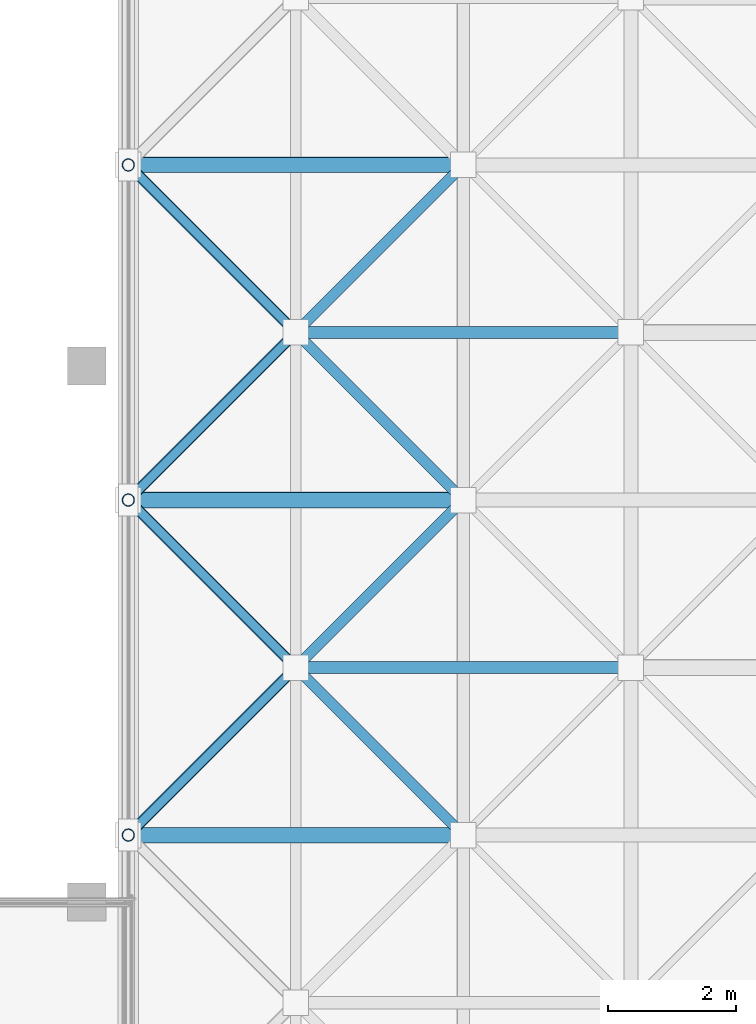
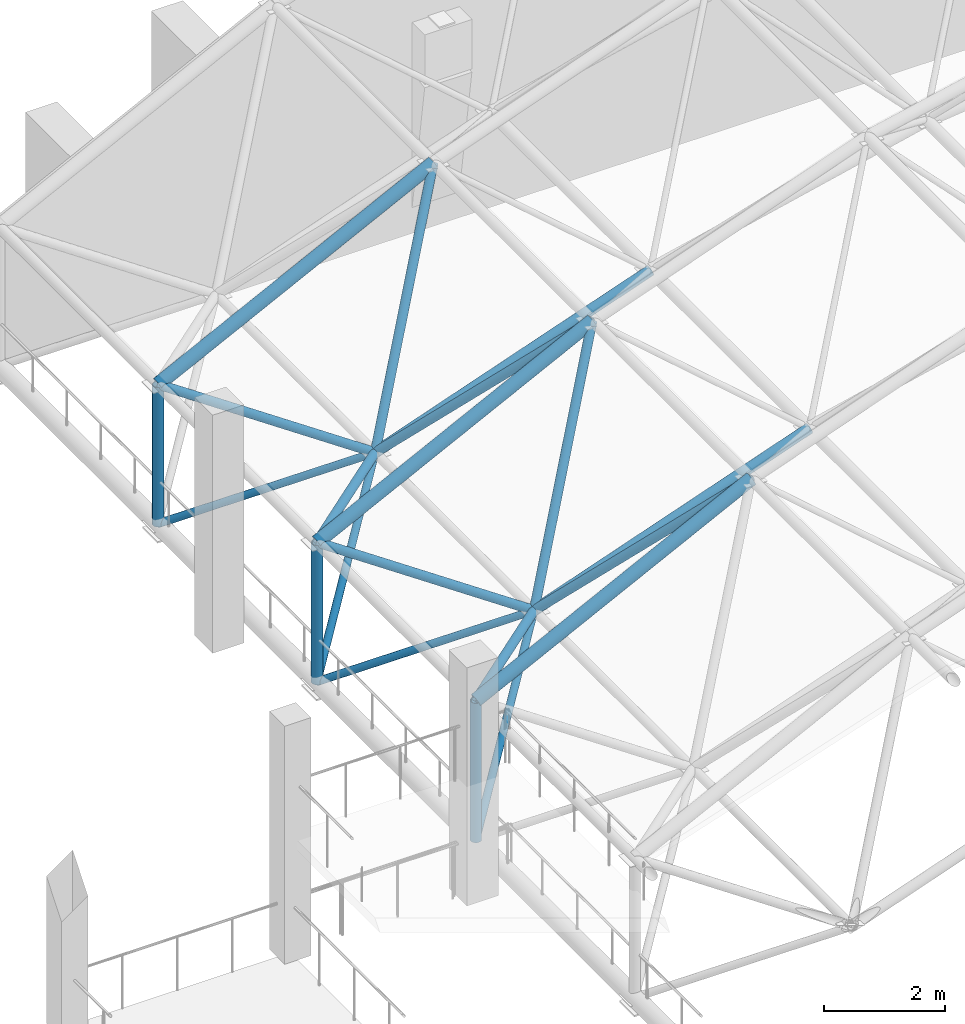
# One storey, part 14 of 100: 20 members.
"""IFC4 building model written with IfcOpenShell, lengths in metres."""

from ifc_helpers import new_model, si_unit, direction, frame, origin, origin_2d, place, context, subcontext, project, spatial, hollow_circle, extrude, material, material_profile, profile_set, type_object, element, save


model = new_model("IFC4")

# Units and contexts
model_context = context("Model", 3, precision=1e-05, world=origin(), true_north=direction((0.0, 1.0)))
body_context = subcontext(model_context, "Body", "Model", "MODEL_VIEW")
ifc_project = project(units=[si_unit("LENGTHUNIT", "METRE"), si_unit("AREAUNIT", "SQUARE_METRE"), si_unit("VOLUMEUNIT", "CUBIC_METRE"), si_unit("PLANEANGLEUNIT", "RADIAN"), si_unit("MASSUNIT", "GRAM", prefix="KILO")], contexts=[model_context])

# Site, building, storey
site_placement = place(None, origin())
site = spatial("IfcSite", under=ifc_project, at=site_placement, CompositionType="ELEMENT")
building_placement = place(site_placement, origin())
building = spatial("IfcBuilding", under=site, at=building_placement, Name="Kiln Court Media Centre", CompositionType="ELEMENT")
storey_placement = place(building_placement, frame((0.0, 0.0, 15.0)))
storey = spatial("IfcBuildingStorey", under=building, at=storey_placement, Name="L03", CompositionType="ELEMENT", Elevation=15.0)

# Members
ifc_material_1 = material(Name="Steel ASTM A500 Gr C", Category="steel")
ifc_material_profile_1 = material_profile(ifc_material_1, hollow_circle(Radius=0.06982421875, WallThickness=0.0048828125, at=origin_2d()), Name="CHS 139.7x5.0")
ifc_profile_set_1 = profile_set([ifc_material_profile_1], Name="Steel ASTM A500 Gr C")
member_type_1 = type_object("IfcMemberType", Name="Steel ASTM A500 Gr C CHS 139.7x5.0 space frame brace", PredefinedType="BRACE", material=ifc_profile_set_1)
for number, where, z_axis, x_axis, name in (
    (1, (58.800048828125, 51.449951171875, 0.18994140625), (0.614895163376, 0.614895163376, 0.493769051394), (-0.707106781187, 0.707106781187, 0.0), "V1 roof bearing tie first 6 space frame brace"),
    (2, (58.800048828125, 56.699951171875, 0.18994140625), (0.614895163376, -0.614895163376, 0.493769051394), (0.707106781187, 0.707106781187, 0.0), "V1 roof bearing tie first 7 space frame brace"),
    (3, (58.800048828125, 56.699951171875, 0.18994140625), (0.614895163376, 0.614895163376, 0.493769051394), (-0.707106781187, 0.707106781187, 0.0), "V1 roof bearing tie first 7 space frame brace"),
    (4, (58.800048828125, 61.949951171875, 0.18994140625), (0.614895163376, -0.614895163376, 0.493769051394), (0.707106781187, 0.707106781187, 0.0), "V1 roof bearing tie first 8 space frame brace"),
):
    element("IfcMember", number, at=place(storey_placement, frame(where, z_axis=z_axis, x_axis=x_axis)), inside=storey, type_object=member_type_1, Name=name, PredefinedType="BRACE", context=body_context, shape_type="SweptSolid", body=[
        extrude(hollow_circle(Radius=0.06982421875, WallThickness=0.0048828125, at=origin_2d()), origin(), (0.0, 0.0, 1.0), 4.26904296875),
    ])
ifc_material_2 = material(Name="Steel ASTM A500 Gr C", Category="steel")
ifc_material_profile_2 = material_profile(ifc_material_2, hollow_circle(Radius=0.084228515625, WallThickness=0.00634765625, at=origin_2d()), Name="CHS 168.3x6.3")
ifc_profile_set_2 = profile_set([ifc_material_profile_2], Name="Steel ASTM A500 Gr C")
member_type_2 = type_object("IfcMemberType", Name="Steel ASTM A500 Gr C CHS 168.3x6.3 space frame brace", PredefinedType="BRACE", material=ifc_profile_set_2)
member_1_placement = place(storey_placement, frame((61.425048828125, 54.074951171875, 2.2978515625), z_axis=(-0.694788256549, -0.694788256549, 0.185845519516), x_axis=(0.707106781187, -0.707106781187, 0.0)))
element("IfcMember", 5, at=member_1_placement, inside=storey, type_object=member_type_2, Name="V1 roof diagonal 1-6 space frame brace", PredefinedType="BRACE", context=body_context, shape_type="SweptSolid", body=[
    extrude(hollow_circle(Radius=0.084228515625, WallThickness=0.00634765625, at=origin_2d()), origin(), (0.0, 0.0, 1.0), 3.778076171875),
])
member_2_placement = place(storey_placement, frame((61.425048828125, 54.074951171875, 2.2978515625), z_axis=(0.526569761857, -0.526569761857, 0.667419337295), x_axis=(0.707106781187, 0.707106781187, 0.0)))
element("IfcMember", 6, at=member_2_placement, inside=storey, type_object=member_type_2, Name="V1 roof diagonal 1-6 space frame brace", PredefinedType="BRACE", context=body_context, shape_type="SweptSolid", body=[
    extrude(hollow_circle(Radius=0.084228515625, WallThickness=0.00634765625, at=origin_2d()), origin(), (0.0, 0.0, 1.0), 4.985107421875),
])
member_3_placement = place(storey_placement, frame((61.425048828125, 54.074951171875, 2.2978515625), z_axis=(-0.694788256549, 0.694788256549, 0.185845519516), x_axis=(-0.707106781187, -0.707106781187, 0.0)))
element("IfcMember", 7, at=member_3_placement, inside=storey, type_object=member_type_2, Name="V1 roof diagonal 1-6 space frame brace", PredefinedType="BRACE", context=body_context, shape_type="SweptSolid", body=[
    extrude(hollow_circle(Radius=0.084228515625, WallThickness=0.00634765625, at=origin_2d()), origin(), (0.0, 0.0, 1.0), 3.778076171875),
])
member_4_placement = place(storey_placement, frame((61.425048828125, 54.074951171875, 2.2978515625), z_axis=(0.526569761857, 0.526569761857, 0.667419337295), x_axis=(-0.707106781187, 0.707106781187, 0.0)))
element("IfcMember", 8, at=member_4_placement, inside=storey, type_object=member_type_2, Name="V1 roof diagonal 1-6 space frame brace", PredefinedType="BRACE", context=body_context, shape_type="SweptSolid", body=[
    extrude(hollow_circle(Radius=0.084228515625, WallThickness=0.00634765625, at=origin_2d()), origin(), (0.0, 0.0, 1.0), 4.985107421875),
])
member_5_placement = place(storey_placement, frame((61.425048828125, 59.324951171875, 2.2978515625), z_axis=(-0.694788256549, -0.694788256549, 0.185845519516), x_axis=(0.707106781187, -0.707106781187, 0.0)))
element("IfcMember", 9, at=member_5_placement, inside=storey, type_object=member_type_2, Name="V1 roof diagonal 1-7 space frame brace", PredefinedType="BRACE", context=body_context, shape_type="SweptSolid", body=[
    extrude(hollow_circle(Radius=0.084228515625, WallThickness=0.00634765625, at=origin_2d()), origin(), (0.0, 0.0, 1.0), 3.778076171875),
])
member_6_placement = place(storey_placement, frame((61.425048828125, 59.324951171875, 2.2978515625), z_axis=(0.526569761857, -0.526569761857, 0.667419337295), x_axis=(0.707106781187, 0.707106781187, 0.0)))
element("IfcMember", 10, at=member_6_placement, inside=storey, type_object=member_type_2, Name="V1 roof diagonal 1-7 space frame brace", PredefinedType="BRACE", context=body_context, shape_type="SweptSolid", body=[
    extrude(hollow_circle(Radius=0.084228515625, WallThickness=0.00634765625, at=origin_2d()), origin(), (0.0, 0.0, 1.0), 4.985107421875),
])
member_7_placement = place(storey_placement, frame((61.425048828125, 59.324951171875, 2.2978515625), z_axis=(-0.694788256549, 0.694788256549, 0.185845519516), x_axis=(-0.707106781187, -0.707106781187, 0.0)))
element("IfcMember", 11, at=member_7_placement, inside=storey, type_object=member_type_2, Name="V1 roof diagonal 1-7 space frame brace", PredefinedType="BRACE", context=body_context, shape_type="SweptSolid", body=[
    extrude(hollow_circle(Radius=0.084228515625, WallThickness=0.00634765625, at=origin_2d()), origin(), (0.0, 0.0, 1.0), 3.778076171875),
])
member_8_placement = place(storey_placement, frame((61.425048828125, 59.324951171875, 2.2978515625), z_axis=(0.526569761857, 0.526569761857, 0.667419337295), x_axis=(-0.707106781187, 0.707106781187, 0.0)))
element("IfcMember", 12, at=member_8_placement, inside=storey, type_object=member_type_2, Name="V1 roof diagonal 1-7 space frame brace", PredefinedType="BRACE", context=body_context, shape_type="SweptSolid", body=[
    extrude(hollow_circle(Radius=0.084228515625, WallThickness=0.00634765625, at=origin_2d()), origin(), (0.0, 0.0, 1.0), 4.985107421875),
])
ifc_material_3 = material(Name="Steel ASTM A500 Gr C", Category="steel")
ifc_material_profile_3 = material_profile(ifc_material_3, hollow_circle(Radius=0.096923828125, WallThickness=0.008056640625, at=origin_2d()), Name="CHS 193.7x8.0")
ifc_profile_set_3 = profile_set([ifc_material_profile_3], Name="Steel ASTM A500 Gr C")
member_type_3 = type_object("IfcMemberType", Name="Steel ASTM A500 Gr C CHS 193.7x8.0 space frame chord", PredefinedType="CHORD", material=ifc_profile_set_3)
for number, where, z_axis, x_axis, name in (
    (13, (61.425048828125, 54.074951171875, 2.2978515625), (0.943959597571, 0.0, 0.330061021863), (0.0, 1.0, 0.0), "V1 roof bottom chord across line 6 space frame chord"),
    (14, (61.425048828125, 59.324951171875, 2.2978515625), (0.943959597571, 0.0, 0.330061021863), (0.0, 1.0, 0.0), "V1 roof bottom chord across line 7 space frame chord"),
):
    element("IfcMember", number, at=place(storey_placement, frame(where, z_axis=z_axis, x_axis=x_axis)), inside=storey, type_object=member_type_3, Name=name, PredefinedType="CHORD", context=body_context, shape_type="SweptSolid", body=[
        extrude(hollow_circle(Radius=0.096923828125, WallThickness=0.008056640625, at=origin_2d()), origin(), (0.0, 0.0, 1.0), 5.561767578125),
    ])
ifc_material_4 = material(Name="Steel ASTM A500 Gr C", Category="steel")
ifc_material_profile_4 = material_profile(ifc_material_4, hollow_circle(Radius=0.096923828125, WallThickness=0.008056640625, at=origin_2d()), Name="CHS 193.7x8.0")
ifc_profile_set_4 = profile_set([ifc_material_profile_4], Name="Steel ASTM A500 Gr C")
member_type_4 = type_object("IfcMemberType", Name="Steel ASTM A500 Gr C CHS 193.7x8.0 space frame strut", PredefinedType="STRUT", material=ifc_profile_set_4)
for number, where, z_axis, x_axis, name in (
    (15, (58.800048828125, 51.449951171875, 0.18994140625), (0.0, 0.0, 1.0), (1.0, 0.0, 0.0), "V1 roof bearing post first 6 space frame strut"),
    (16, (58.800048828125, 56.699951171875, 0.18994140625), (0.0, 0.0, 1.0), (1.0, 0.0, 0.0), "V1 roof bearing post first 7 space frame strut"),
    (17, (58.800048828125, 61.949951171875, 0.18994140625), (0.0, 0.0, 1.0), (1.0, 0.0, 0.0), "V1 roof bearing post first 8 space frame strut"),
):
    element("IfcMember", number, at=place(storey_placement, frame(where, z_axis=z_axis, x_axis=x_axis)), inside=storey, type_object=member_type_4, Name=name, PredefinedType="STRUT", context=body_context, shape_type="SweptSolid", body=[
        extrude(hollow_circle(Radius=0.096923828125, WallThickness=0.008056640625, at=origin_2d()), origin(), (0.0, 0.0, 1.0), 2.81005859375),
    ])
ifc_material_5 = material(Name="Steel ASTM A500 Gr C", Category="steel")
ifc_material_profile_5 = material_profile(ifc_material_5, hollow_circle(Radius=0.122314453125, WallThickness=0.010009765625, at=origin_2d()), Name="CHS 244.5x10.0")
ifc_profile_set_5 = profile_set([ifc_material_profile_5], Name="Steel ASTM A500 Gr C")
member_type_5 = type_object("IfcMemberType", Name="Steel ASTM A500 Gr C CHS 244.5x10.0 space frame chord", PredefinedType="CHORD", material=ifc_profile_set_5)
for number, where, z_axis, x_axis, name in (
    (18, (58.800048828125, 51.449951171875, 3.0), (0.894427191, 0.0, 0.4472135955), (0.0, 1.0, 0.0), "V1 roof top chord across line 6 space frame chord"),
    (19, (58.800048828125, 56.699951171875, 3.0), (0.894427191, 0.0, 0.4472135955), (0.0, 1.0, 0.0), "V1 roof top chord across line 7 space frame chord"),
    (20, (58.800048828125, 61.949951171875, 3.0), (0.894427191, 0.0, 0.4472135955), (0.0, 1.0, 0.0), "V1 roof top chord across line 8 space frame chord"),
):
    element("IfcMember", number, at=place(storey_placement, frame(where, z_axis=z_axis, x_axis=x_axis)), inside=storey, type_object=member_type_5, Name=name, PredefinedType="CHORD", context=body_context, shape_type="SweptSolid", body=[
        extrude(hollow_circle(Radius=0.122314453125, WallThickness=0.010009765625, at=origin_2d()), origin(), (0.0, 0.0, 1.0), 5.86962890625),
    ])

save(model, "model.ifc")
